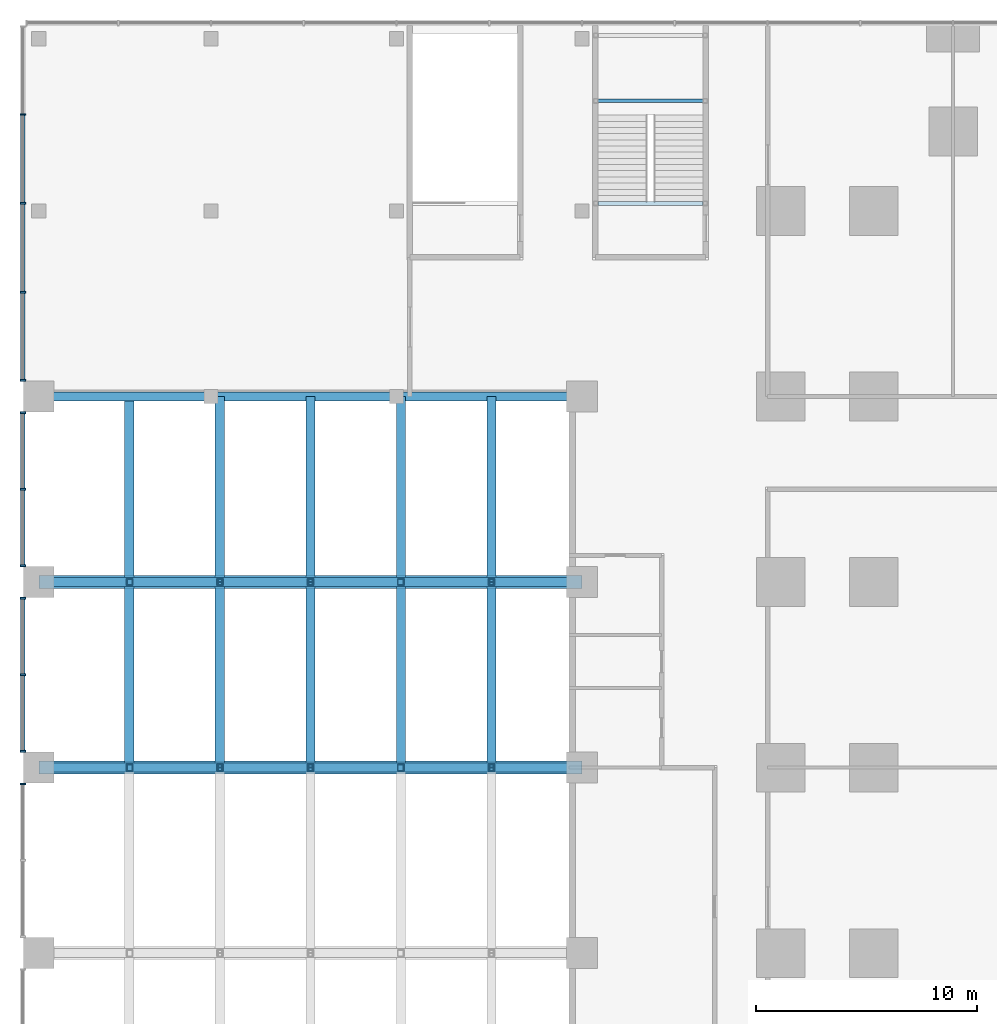
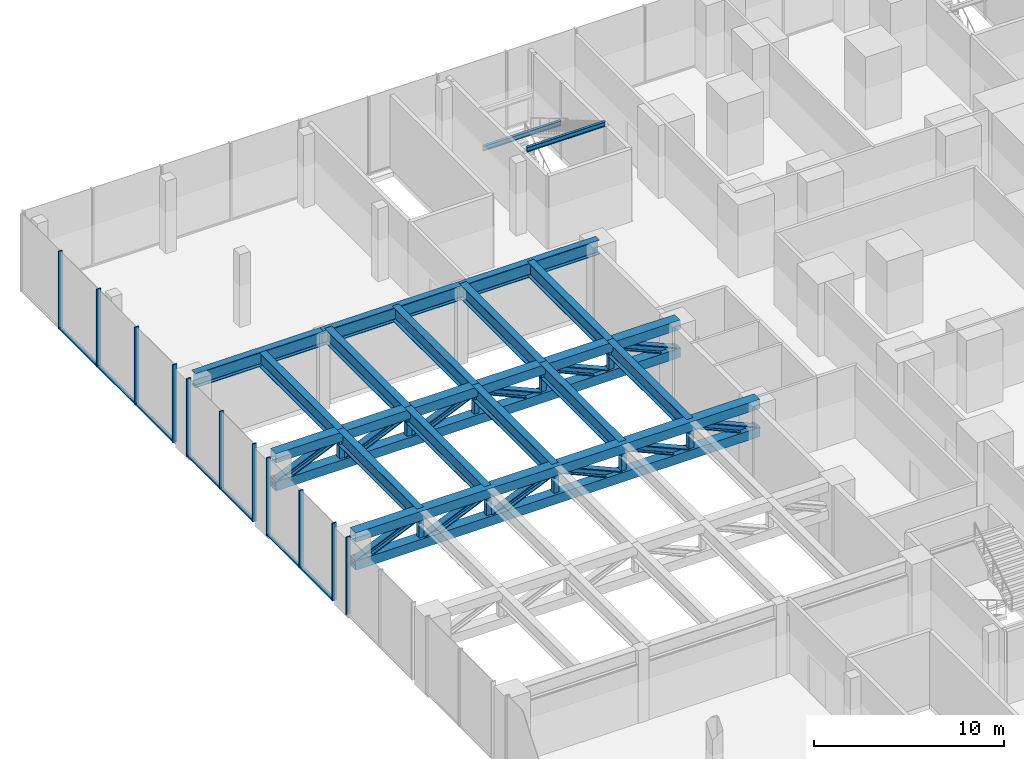
# One storey, part 17 of 33: 44 members, 15 beams, 4 elements without a shape of their own.
"""IFC4 building model written with IfcOpenShell, lengths in metres."""

import ifcopenshell
import ifcopenshell.guid

model = None  # the IFC model being written
_history = None  # IfcOwnerHistory: only IFC2X3 demands one
_inside = {}  # id of a spatial element -> (the spatial element, [elements in it])
_under = {}  # id of a project, library or spatial element -> (it, [spatial elements below it])
_declared = {}  # id of a project -> (the project, [libraries it declares])
_typed = {}  # id of a type object -> (the type object, [elements of that type])
_made_of = {}  # id of a material, layer set ... -> (it, [elements and type objects made of it])


def new_model(schema):
    """Start an empty IFC model of exactly this schema.

    Asked for "IFC4X3", IfcOpenShell would pick the latest addendum, in which some entities
    have other attributes; the version numbers below select the first issue.
    IFC2X3 requires an IfcOwnerHistory on every rooted entity: one is made here for all.
    """
    global model, _history
    if schema == "IFC4X3":
        model = ifcopenshell.file(schema_version=(4, 3, 0, 0))
    else:
        model = ifcopenshell.file(schema=schema)
    _inside.clear()
    _under.clear()
    _declared.clear()
    _typed.clear()
    _made_of.clear()
    _history = None
    if model.schema == "IFC2X3":
        org = make("IfcOrganization", Name="unknown")
        user = make(
            "IfcPersonAndOrganization",
            ThePerson=make("IfcPerson", FamilyName="unknown"),
            TheOrganization=org,
        )
        app = make(
            "IfcApplication",
            ApplicationDeveloper=org,
            Version="unknown",
            ApplicationFullName="unknown",
            ApplicationIdentifier="unknown",
        )
        _history = make(
            "IfcOwnerHistory",
            OwningUser=user,
            OwningApplication=app,
            ChangeAction="ADDED",
            CreationDate=0,
        )
    return model


def make(cls, **values):
    """One entity of the class cls with the attributes given. An attribute that is None is left unset."""
    return model.create_entity(
        cls, **{name: value for name, value in values.items() if value is not None}
    )


def rooted(cls, **values):
    """An entity with a GlobalId (a new one), such as an element, a storey or a relation."""
    return make(cls, GlobalId=ifcopenshell.guid.new(), OwnerHistory=_history, **values)


def si_unit(unit_type, name, prefix=None):
    """IfcSIUnit, for example si_unit("LENGTHUNIT", "METRE", prefix="MILLI")."""
    return make("IfcSIUnit", UnitType=unit_type, Prefix=prefix, Name=name)


def assignment(units):
    """IfcUnitAssignment: the units of a project."""
    return None if units is None else make("IfcUnitAssignment", Units=units)


def point(xyz):
    """IfcCartesianPoint."""
    return None if xyz is None else make("IfcCartesianPoint", Coordinates=xyz)


def direction(xyz):
    """IfcDirection."""
    return None if xyz is None else make("IfcDirection", DirectionRatios=xyz)


def frame(location, z_axis=None, x_axis=None):
    """IfcAxis2Placement3D, a coordinate frame: its origin and axes. An axis left out is left unset."""
    return make(
        "IfcAxis2Placement3D",
        Location=point(location),
        Axis=direction(z_axis),
        RefDirection=direction(x_axis),
    )


def frame_2d(location, x_axis=None):
    """IfcAxis2Placement2D, a coordinate frame in the plane: its origin and x axis."""
    return make(
        "IfcAxis2Placement2D", Location=point(location), RefDirection=direction(x_axis)
    )


def origin():
    """The frame at (0, 0, 0) with its axes left unset."""
    return frame((0.0, 0.0, 0.0))


def origin_2d():
    """The frame at (0, 0) in the plane with its x axis left unset."""
    return frame_2d((0.0, 0.0))


def place(relative_to, where):
    """IfcLocalPlacement: puts the frame where relative to a parent placement (None: the world)."""
    return make(
        "IfcLocalPlacement", PlacementRelTo=relative_to, RelativePlacement=where
    )


def context(
    kind, dimensions, precision=None, world=None, true_north=None, identifier=None
):
    """IfcGeometricRepresentationContext, for example the 3D "Model" context."""
    return make(
        "IfcGeometricRepresentationContext",
        ContextIdentifier=identifier,
        ContextType=kind,
        CoordinateSpaceDimension=dimensions,
        Precision=precision,
        WorldCoordinateSystem=world,
        TrueNorth=true_north,
    )


def subcontext(parent, identifier, kind, view, scale=None):
    """IfcGeometricRepresentationSubContext, for example "Body" below "Model"."""
    return make(
        "IfcGeometricRepresentationSubContext",
        ContextIdentifier=identifier,
        ContextType=kind,
        ParentContext=parent,
        TargetScale=scale,
        TargetView=view,
    )


def project(units=None, contexts=None):
    """IfcProject with its units and contexts."""
    return rooted(
        "IfcProject",
        Name="project",
        RepresentationContexts=contexts,
        UnitsInContext=assignment(units),
    )


def spatial(cls, under=None, at=None, **own):
    """A site, building, storey or space (cls), placed at a placement, below another one or the project."""
    s = rooted(cls, ObjectPlacement=at, **own)
    if under is not None:
        _under.setdefault(under.id(), (under, []))[1].append(s)
    return s


def profile(cls, at=None, kind="AREA", **sizes):
    """A parametric profile (cls). Its sizes go by their IFC names, for example OverallWidth=200.0."""
    return make(cls, ProfileType=kind, Position=at, **sizes)


def rectangle(**sizes):
    """IfcRectangleProfileDef."""
    return profile("IfcRectangleProfileDef", **sizes)


def hollow_rectangle(**sizes):
    """IfcRectangleHollowProfileDef."""
    return profile("IfcRectangleHollowProfileDef", **sizes)


def i_section(**sizes):
    """IfcIShapeProfileDef."""
    return profile("IfcIShapeProfileDef", **sizes)


def extrude(swept, where, along, depth):
    """IfcExtrudedAreaSolid: the profile swept, set in the frame where, extruded along a direction by depth."""
    return make(
        "IfcExtrudedAreaSolid",
        SweptArea=swept,
        Position=where,
        ExtrudedDirection=direction(along),
        Depth=depth,
    )


def shape(context_of_items, identifier, shape_type, items):
    """IfcShapeRepresentation: the items that make up one representation, for example the "Body"."""
    return make(
        "IfcShapeRepresentation",
        ContextOfItems=context_of_items,
        RepresentationIdentifier=identifier,
        RepresentationType=shape_type,
        Items=items,
    )


def material(Name=None, Category=None):
    """IfcMaterial."""
    return make("IfcMaterial", Name=Name, Category=Category)


def material_profile(
    of_material, cross_section, Name=None, Category=None, Priority=None
):
    """IfcMaterialProfile: a cross section and its material."""
    return make(
        "IfcMaterialProfile",
        Name=Name,
        Material=of_material,
        Profile=cross_section,
        Priority=Priority,
        Category=Category,
    )


def profile_set(profiles, Name=None, composite=None):
    """IfcMaterialProfileSet."""
    return make(
        "IfcMaterialProfileSet",
        Name=Name,
        MaterialProfiles=profiles,
        CompositeProfile=composite,
    )


def made_of(thing, what):
    """Note that an element or type object is made of a material, layer set ...; save() writes the relation."""
    if what is not None:
        _made_of.setdefault(what.id(), (what, []))[1].append(thing)
    return thing


def type_object(cls, material=None, **own):
    """A type object (cls), such as IfcWallType, which elements share."""
    return made_of(rooted(cls, **own), material)


def element(
    cls,
    number,
    at=None,
    inside=None,
    cuts=None,
    type_object=None,
    material=None,
    context=None,
    identifier="Body",
    shape_type=None,
    held_by="IfcProductDefinitionShape",
    body=None,
    shapes=None,
    **own,
):
    """One element of the class cls, such as IfcWall. Its Tag is "e" and its number.

    at: its placement. inside: the storey or other place that contains it. cuts: it is an
    opening in that element (IfcRelVoidsElement). A single representation is given by context,
    identifier, shape_type and body (its items); several are given by shapes. held_by: the class
    of the entity that holds the representations. save() writes the other relations.
    """
    e = rooted(cls, Tag="e%d" % number, ObjectPlacement=at, **own)
    if body is not None:
        shapes = [shape(context, identifier, shape_type, body)]
    if shapes is not None:
        e.Representation = make(held_by, Representations=shapes)
    if inside is not None:
        _inside.setdefault(inside.id(), (inside, []))[1].append(e)
    if cuts is not None:
        rooted(
            "IfcRelVoidsElement", RelatingBuildingElement=cuts, RelatedOpeningElement=e
        )
    if type_object is not None:
        _typed.setdefault(type_object.id(), (type_object, []))[1].append(e)
    return made_of(e, material)


def aggregate(whole, parts):
    """IfcRelAggregates: a whole, such as a stair, and the parts it consists of."""
    return rooted("IfcRelAggregates", RelatingObject=whole, RelatedObjects=parts)


def save(model, path):
    """Write the relations noted so far, then the file.

    IfcRelAggregates (storeys below a building ...), IfcRelContainedInSpatialStructure (elements
    in a storey), IfcRelDefinesByType, IfcRelAssociatesMaterial and IfcRelDeclares: one each for
    every whole, place, type object, material and project.
    """
    for whole, parts in _under.values():
        aggregate(whole, parts)
    for where, things in _inside.values():
        rooted(
            "IfcRelContainedInSpatialStructure",
            RelatedElements=things,
            RelatingStructure=where,
        )
    for kind, things in _typed.values():
        rooted("IfcRelDefinesByType", RelatedObjects=things, RelatingType=kind)
    for what, things in _made_of.values():
        rooted("IfcRelAssociatesMaterial", RelatedObjects=things, RelatingMaterial=what)
    for by, libraries in _declared.values():
        rooted("IfcRelDeclares", RelatingContext=by, RelatedDefinitions=libraries)
    model.write(path)


model = new_model("IFC4")

# Units and contexts
model_context = context("Model", 3, precision=1e-05, world=origin(), true_north=direction((0.0, 1.0)))
body_context = subcontext(model_context, "Body", "Model", "MODEL_VIEW")
ifc_project = project(units=[si_unit("LENGTHUNIT", "METRE"), si_unit("AREAUNIT", "SQUARE_METRE"), si_unit("VOLUMEUNIT", "CUBIC_METRE"), si_unit("PLANEANGLEUNIT", "RADIAN"), si_unit("MASSUNIT", "GRAM", prefix="KILO")], contexts=[model_context])

# Site, building, storey
site_placement = place(None, origin())
site = spatial("IfcSite", under=ifc_project, at=site_placement, CompositionType="ELEMENT")
building_placement = place(site_placement, origin())
building = spatial("IfcBuilding", under=site, at=building_placement, Name="Dunama Terrace Hotel", CompositionType="ELEMENT")
storey_placement = place(building_placement, frame((0.0, 0.0, 12.0)))
storey = spatial("IfcBuildingStorey", under=building, at=storey_placement, Name="L02", CompositionType="ELEMENT", Elevation=12.0)

# Members
ifc_material_1 = material(Name="Steel S355", Category="steel")
ifc_material_profile_1 = material_profile(ifc_material_1, i_section(OverallWidth=0.412109375, OverallDepth=0.4365234375, WebThickness=0.035888671875, FlangeThickness=0.05810546875, FilletRadius=0.01513671875, at=origin_2d()), Name="UC 356x406x467")
ifc_profile_set_1 = profile_set([ifc_material_profile_1], Name="Steel S355")
member_type_1 = type_object("IfcMemberType", Name="Brace UC 356x406x467", PredefinedType="BRACE", material=ifc_profile_set_1)
member_1_placement = place(storey_placement, frame((-33.0, 25.199951171875, 2.60009765625), z_axis=(0.91566360853, 0.0, 0.40194546398), x_axis=(0.0, 1.0, 0.0)))
element("IfcMember", 1, at=member_1_placement, inside=storey, type_object=member_type_1, Name="Ballroom truss diagonal", PredefinedType="BRACE", context=body_context, shape_type="SweptSolid", body=[
    extrude(i_section(OverallWidth=0.412109375, OverallDepth=0.4365234375, WebThickness=0.035888671875, FlangeThickness=0.05810546875, FilletRadius=0.01513671875, at=origin_2d()), origin(), (0.0, 0.0, 1.0), 4.477783203125),
])
member_2_placement = place(storey_placement, frame((-28.89990234375, 25.199951171875, 2.60009765625), z_axis=(0.915654799084, 0.0, 0.401965531998), x_axis=(0.0, 1.0, 0.0)))
element("IfcMember", 2, at=member_2_placement, inside=storey, type_object=member_type_1, Name="Ballroom truss diagonal", PredefinedType="BRACE", context=body_context, shape_type="SweptSolid", body=[
    extrude(i_section(OverallWidth=0.412109375, OverallDepth=0.4365234375, WebThickness=0.035888671875, FlangeThickness=0.05810546875, FilletRadius=0.01513671875, at=origin_2d()), origin(), (0.0, 0.0, 1.0), 4.4775390625),
])
member_3_placement = place(storey_placement, frame((-24.800048828125, 25.199951171875, 2.60009765625), z_axis=(0.91566360853, 0.0, 0.40194546398), x_axis=(0.0, 1.0, 0.0)))
element("IfcMember", 3, at=member_3_placement, inside=storey, type_object=member_type_1, Name="Ballroom truss diagonal", PredefinedType="BRACE", context=body_context, shape_type="SweptSolid", body=[
    extrude(i_section(OverallWidth=0.412109375, OverallDepth=0.4365234375, WebThickness=0.035888671875, FlangeThickness=0.05810546875, FilletRadius=0.01513671875, at=origin_2d()), origin(), (0.0, 0.0, 1.0), 4.477783203125),
])
member_4_placement = place(storey_placement, frame((-16.60009765625, 25.199951171875, 2.60009765625), z_axis=(-0.915654799084, 0.0, 0.401965531998), x_axis=(0.0, -1.0, 0.0)))
element("IfcMember", 4, at=member_4_placement, inside=storey, type_object=member_type_1, Name="Ballroom truss diagonal", PredefinedType="BRACE", context=body_context, shape_type="SweptSolid", body=[
    extrude(i_section(OverallWidth=0.412109375, OverallDepth=0.4365234375, WebThickness=0.035888671875, FlangeThickness=0.05810546875, FilletRadius=0.01513671875, at=origin_2d()), origin(), (0.0, 0.0, 1.0), 4.4775390625),
])
for number, where, z_axis, x_axis, name in (
    (5, (-12.5, 25.199951171875, 2.60009765625), (-0.91566360853, 0.0, 0.40194546398), (0.0, -1.0, 0.0), "Ballroom truss diagonal"),
    (6, (-8.39990234375, 25.199951171875, 2.60009765625), (-0.91566360853, 0.0, 0.40194546398), (0.0, -1.0, 0.0), "Ballroom truss diagonal"),
    (7, (-33.0, 33.60009765625, 2.60009765625), (0.91566360853, 0.0, 0.40194546398), (0.0, 1.0, 0.0), "Ballroom truss diagonal"),
):
    element("IfcMember", number, at=place(storey_placement, frame(where, z_axis=z_axis, x_axis=x_axis)), inside=storey, type_object=member_type_1, Name=name, PredefinedType="BRACE", context=body_context, shape_type="SweptSolid", body=[
        extrude(i_section(OverallWidth=0.412109375, OverallDepth=0.4365234375, WebThickness=0.035888671875, FlangeThickness=0.05810546875, FilletRadius=0.01513671875, at=origin_2d()), origin(), (0.0, 0.0, 1.0), 4.477783203125),
    ])
member_5_placement = place(storey_placement, frame((-28.89990234375, 33.60009765625, 2.60009765625), z_axis=(0.915654799084, 0.0, 0.401965531998), x_axis=(0.0, 1.0, 0.0)))
element("IfcMember", 8, at=member_5_placement, inside=storey, type_object=member_type_1, Name="Ballroom truss diagonal", PredefinedType="BRACE", context=body_context, shape_type="SweptSolid", body=[
    extrude(i_section(OverallWidth=0.412109375, OverallDepth=0.4365234375, WebThickness=0.035888671875, FlangeThickness=0.05810546875, FilletRadius=0.01513671875, at=origin_2d()), origin(), (0.0, 0.0, 1.0), 4.4775390625),
])
member_6_placement = place(storey_placement, frame((-24.800048828125, 33.60009765625, 2.60009765625), z_axis=(0.91566360853, 0.0, 0.40194546398), x_axis=(0.0, 1.0, 0.0)))
element("IfcMember", 9, at=member_6_placement, inside=storey, type_object=member_type_1, Name="Ballroom truss diagonal", PredefinedType="BRACE", context=body_context, shape_type="SweptSolid", body=[
    extrude(i_section(OverallWidth=0.412109375, OverallDepth=0.4365234375, WebThickness=0.035888671875, FlangeThickness=0.05810546875, FilletRadius=0.01513671875, at=origin_2d()), origin(), (0.0, 0.0, 1.0), 4.477783203125),
])
member_7_placement = place(storey_placement, frame((-16.60009765625, 33.60009765625, 2.60009765625), z_axis=(-0.915654799084, 0.0, 0.401965531998), x_axis=(0.0, -1.0, 0.0)))
element("IfcMember", 10, at=member_7_placement, inside=storey, type_object=member_type_1, Name="Ballroom truss diagonal", PredefinedType="BRACE", context=body_context, shape_type="SweptSolid", body=[
    extrude(i_section(OverallWidth=0.412109375, OverallDepth=0.4365234375, WebThickness=0.035888671875, FlangeThickness=0.05810546875, FilletRadius=0.01513671875, at=origin_2d()), origin(), (0.0, 0.0, 1.0), 4.4775390625),
])
for number, where, z_axis, x_axis, name in (
    (11, (-12.5, 33.60009765625, 2.60009765625), (-0.91566360853, 0.0, 0.40194546398), (0.0, -1.0, 0.0), "Ballroom truss diagonal"),
    (12, (-8.39990234375, 33.60009765625, 2.60009765625), (-0.91566360853, 0.0, 0.40194546398), (0.0, -1.0, 0.0), "Ballroom truss diagonal"),
):
    element("IfcMember", number, at=place(storey_placement, frame(where, z_axis=z_axis, x_axis=x_axis)), inside=storey, type_object=member_type_1, Name=name, PredefinedType="BRACE", context=body_context, shape_type="SweptSolid", body=[
        extrude(i_section(OverallWidth=0.412109375, OverallDepth=0.4365234375, WebThickness=0.035888671875, FlangeThickness=0.05810546875, FilletRadius=0.01513671875, at=origin_2d()), origin(), (0.0, 0.0, 1.0), 4.477783203125),
    ])

# Curtain wall, members
ifc_material_2 = material(Name="Aluminium curtain wall system", Category="aluminium")
curtain_wall_type = type_object("IfcCurtainWallType", Name="Podium storefront glazing CW-E", PredefinedType="NOTDEFINED", material=ifc_material_2)
curtain_wall_1_placement = place(storey_placement, origin())
curtain_wall_1 = element("IfcCurtainWall", 13, at=curtain_wall_1_placement, inside=storey, type_object=curtain_wall_type, Name="Podium storefront glazing CW-E L02", PredefinedType="NOTDEFINED")
ifc_material_3 = material(Name="Aluminium mullion", Category="aluminium")
ifc_material_profile_2 = material_profile(ifc_material_3, rectangle(XDim=0.080078125, YDim=0.25, at=origin_2d()), Name="CWE MULLION 80X250")
ifc_profile_set_2 = profile_set([ifc_material_profile_2], Name="Aluminium mullion")
member_type_2 = type_object("IfcMemberType", Name="CWE mullion 80x250", PredefinedType="MULLION", material=ifc_profile_set_2)
member_8_placement = place(storey_placement, frame((-33.72509765625, 54.77490234375, 0.0), z_axis=(0.0, 0.0, 1.0), x_axis=(0.0, -1.0, 0.0)))
member_8 = element("IfcMember", 14, at=member_8_placement, type_object=member_type_2, Name="CWE mullion", PredefinedType="MULLION", context=body_context, shape_type="SweptSolid", body=[
    extrude(rectangle(XDim=0.080078125, YDim=0.25, at=origin_2d()), origin(), (0.0, 0.0, 1.0), 5.0),
])
member_9_placement = place(storey_placement, frame((-33.72509765625, 50.75, 0.0), z_axis=(0.0, 0.0, 1.0), x_axis=(0.0, -1.0, 0.0)))
member_9 = element("IfcMember", 15, at=member_9_placement, type_object=member_type_2, Name="CWE mullion", PredefinedType="MULLION", context=body_context, shape_type="SweptSolid", body=[
    extrude(rectangle(XDim=0.080078125, YDim=0.25, at=origin_2d()), origin(), (0.0, 0.0, 1.0), 5.0),
])
member_10_placement = place(storey_placement, frame((-33.72509765625, 46.72509765625, 0.0), z_axis=(0.0, 0.0, 1.0), x_axis=(0.0, -1.0, 0.0)))
member_10 = element("IfcMember", 16, at=member_10_placement, type_object=member_type_2, Name="CWE mullion", PredefinedType="MULLION", context=body_context, shape_type="SweptSolid", body=[
    extrude(rectangle(XDim=0.080078125, YDim=0.25, at=origin_2d()), origin(), (0.0, 0.0, 1.0), 5.0),
])
member_11_placement = place(storey_placement, frame((-33.72509765625, 42.739990234375, 0.0), z_axis=(0.0, 0.0, 1.0), x_axis=(0.0, -1.0, 0.0)))
member_11 = element("IfcMember", 17, at=member_11_placement, type_object=member_type_2, Name="CWE mullion", PredefinedType="MULLION", context=body_context, shape_type="SweptSolid", body=[
    extrude(rectangle(XDim=0.080078125, YDim=0.25, at=origin_2d()), origin(), (0.0, 0.0, 1.0), 5.0),
])

curtain_wall_2_placement = place(storey_placement, origin())
curtain_wall_2 = element("IfcCurtainWall", 18, at=curtain_wall_2_placement, inside=storey, type_object=curtain_wall_type, Name="Podium storefront glazing CW-E ballroom L02", PredefinedType="NOTDEFINED")
member_12_placement = place(storey_placement, frame((-33.72509765625, 41.260009765625, 0.0), z_axis=(0.0, 0.0, 1.0), x_axis=(0.0, -1.0, 0.0)))
member_12 = element("IfcMember", 19, at=member_12_placement, type_object=member_type_2, Name="CWE mullion", PredefinedType="MULLION", context=body_context, shape_type="SweptSolid", body=[
    extrude(rectangle(XDim=0.080078125, YDim=0.25, at=origin_2d()), origin(), (0.0, 0.0, 1.0), 5.0),
])
member_13_placement = place(storey_placement, frame((-33.72509765625, 37.800048828125, 0.0), z_axis=(0.0, 0.0, 1.0), x_axis=(0.0, -1.0, 0.0)))
member_13 = element("IfcMember", 20, at=member_13_placement, type_object=member_type_2, Name="CWE mullion", PredefinedType="MULLION", context=body_context, shape_type="SweptSolid", body=[
    extrude(rectangle(XDim=0.080078125, YDim=0.25, at=origin_2d()), origin(), (0.0, 0.0, 1.0), 5.0),
])
member_14_placement = place(storey_placement, frame((-33.72509765625, 34.340087890625, 0.0), z_axis=(0.0, 0.0, 1.0), x_axis=(0.0, -1.0, 0.0)))
member_14 = element("IfcMember", 21, at=member_14_placement, type_object=member_type_2, Name="CWE mullion", PredefinedType="MULLION", context=body_context, shape_type="SweptSolid", body=[
    extrude(rectangle(XDim=0.080078125, YDim=0.25, at=origin_2d()), origin(), (0.0, 0.0, 1.0), 5.0),
])

curtain_wall_3_placement = place(storey_placement, origin())
curtain_wall_3 = element("IfcCurtainWall", 22, at=curtain_wall_3_placement, inside=storey, type_object=curtain_wall_type, Name="Podium storefront glazing CW-E ballroom L02", PredefinedType="NOTDEFINED")
member_15_placement = place(storey_placement, frame((-33.72509765625, 32.860107421875, 0.0), z_axis=(0.0, 0.0, 1.0), x_axis=(0.0, -1.0, 0.0)))
member_15 = element("IfcMember", 23, at=member_15_placement, type_object=member_type_2, Name="CWE mullion", PredefinedType="MULLION", context=body_context, shape_type="SweptSolid", body=[
    extrude(rectangle(XDim=0.080078125, YDim=0.25, at=origin_2d()), origin(), (0.0, 0.0, 1.0), 5.0),
])
member_16_placement = place(storey_placement, frame((-33.72509765625, 29.39990234375, 0.0), z_axis=(0.0, 0.0, 1.0), x_axis=(0.0, -1.0, 0.0)))
member_16 = element("IfcMember", 24, at=member_16_placement, type_object=member_type_2, Name="CWE mullion", PredefinedType="MULLION", context=body_context, shape_type="SweptSolid", body=[
    extrude(rectangle(XDim=0.080078125, YDim=0.25, at=origin_2d()), origin(), (0.0, 0.0, 1.0), 5.0),
])
member_17_placement = place(storey_placement, frame((-33.72509765625, 25.93994140625, 0.0), z_axis=(0.0, 0.0, 1.0), x_axis=(0.0, -1.0, 0.0)))
member_17 = element("IfcMember", 25, at=member_17_placement, type_object=member_type_2, Name="CWE mullion", PredefinedType="MULLION", context=body_context, shape_type="SweptSolid", body=[
    extrude(rectangle(XDim=0.080078125, YDim=0.25, at=origin_2d()), origin(), (0.0, 0.0, 1.0), 5.0),
])

# Curtain wall, member
curtain_wall_4_placement = place(storey_placement, origin())
curtain_wall_4 = element("IfcCurtainWall", 26, at=curtain_wall_4_placement, inside=storey, type_object=curtain_wall_type, Name="Podium storefront glazing CW-E ballroom L02", PredefinedType="NOTDEFINED")
member_18_placement = place(storey_placement, frame((-33.72509765625, 24.4599609375, 0.0), z_axis=(0.0, 0.0, 1.0), x_axis=(0.0, -1.0, 0.0)))
member_18 = element("IfcMember", 27, at=member_18_placement, type_object=member_type_2, Name="CWE mullion", PredefinedType="MULLION", context=body_context, shape_type="SweptSolid", body=[
    extrude(rectangle(XDim=0.080078125, YDim=0.25, at=origin_2d()), origin(), (0.0, 0.0, 1.0), 5.0),
])
aggregate(curtain_wall_4, [member_18])

# Member
ifc_material_4 = material(Name="Aluminium transom", Category="aluminium")
ifc_material_profile_3 = material_profile(ifc_material_4, rectangle(XDim=0.199951171875, YDim=0.090087890625, at=origin_2d()), Name="CWE TRANSOM 200X90")
ifc_profile_set_3 = profile_set([ifc_material_profile_3], Name="Aluminium transom")
member_type_3 = type_object("IfcMemberType", Name="CWE transom 200x90", PredefinedType="USERDEFINED", material=ifc_profile_set_3)
member_19_placement = place(storey_placement, frame((-33.72509765625, 54.735107421875, 0.044921875), z_axis=(0.0, -1.0, 0.0), x_axis=(1.0, 0.0, 0.0)))
member_19 = element("IfcMember", 28, at=member_19_placement, type_object=member_type_3, Name="CWE transom", ObjectType="TRANSOM", PredefinedType="USERDEFINED", context=body_context, shape_type="SweptSolid", body=[
    extrude(rectangle(XDim=0.199951171875, YDim=0.090087890625, at=origin_2d()), origin(), (0.0, 0.0, 1.0), 3.945068359375),
])

member_20_placement = place(storey_placement, frame((-33.72509765625, 50.7099609375, 0.044921875), z_axis=(0.0, -1.0, 0.0), x_axis=(1.0, 0.0, 0.0)))
member_20 = element("IfcMember", 29, at=member_20_placement, type_object=member_type_3, Name="CWE transom", ObjectType="TRANSOM", PredefinedType="USERDEFINED", context=body_context, shape_type="SweptSolid", body=[
    extrude(rectangle(XDim=0.199951171875, YDim=0.090087890625, at=origin_2d()), origin(), (0.0, 0.0, 1.0), 3.945068359375),
])

member_21_placement = place(storey_placement, frame((-33.72509765625, 46.68505859375, 0.044921875), z_axis=(0.0, -1.0, 0.0), x_axis=(1.0, 0.0, 0.0)))
member_21 = element("IfcMember", 30, at=member_21_placement, type_object=member_type_3, Name="CWE transom", ObjectType="TRANSOM", PredefinedType="USERDEFINED", context=body_context, shape_type="SweptSolid", body=[
    extrude(rectangle(XDim=0.199951171875, YDim=0.090087890625, at=origin_2d()), origin(), (0.0, 0.0, 1.0), 3.905029296875),
])

aggregate(curtain_wall_1, [member_8, member_9, member_10, member_11, member_19, member_20, member_21])

member_22_placement = place(storey_placement, frame((-33.72509765625, 41.219970703125, 0.044921875), z_axis=(0.0, -1.0, 0.0), x_axis=(1.0, 0.0, 0.0)))
member_22 = element("IfcMember", 31, at=member_22_placement, type_object=member_type_3, Name="CWE transom", ObjectType="TRANSOM", PredefinedType="USERDEFINED", context=body_context, shape_type="SweptSolid", body=[
    extrude(rectangle(XDim=0.199951171875, YDim=0.090087890625, at=origin_2d()), origin(), (0.0, 0.0, 1.0), 3.3798828125),
])

member_23_placement = place(storey_placement, frame((-33.72509765625, 37.760009765625, 0.044921875), z_axis=(0.0, -1.0, 0.0), x_axis=(1.0, 0.0, 0.0)))
member_23 = element("IfcMember", 32, at=member_23_placement, type_object=member_type_3, Name="CWE transom", ObjectType="TRANSOM", PredefinedType="USERDEFINED", context=body_context, shape_type="SweptSolid", body=[
    extrude(rectangle(XDim=0.199951171875, YDim=0.090087890625, at=origin_2d()), origin(), (0.0, 0.0, 1.0), 3.380126953125),
])

aggregate(curtain_wall_2, [member_12, member_13, member_14, member_22, member_23])

member_24_placement = place(storey_placement, frame((-33.72509765625, 32.820068359375, 0.044921875), z_axis=(0.0, -1.0, 0.0), x_axis=(1.0, 0.0, 0.0)))
member_24 = element("IfcMember", 33, at=member_24_placement, type_object=member_type_3, Name="CWE transom", ObjectType="TRANSOM", PredefinedType="USERDEFINED", context=body_context, shape_type="SweptSolid", body=[
    extrude(rectangle(XDim=0.199951171875, YDim=0.090087890625, at=origin_2d()), origin(), (0.0, 0.0, 1.0), 3.380126953125),
])

member_25_placement = place(storey_placement, frame((-33.72509765625, 29.360107421875, 0.044921875), z_axis=(0.0, -1.0, 0.0), x_axis=(1.0, 0.0, 0.0)))
member_25 = element("IfcMember", 34, at=member_25_placement, type_object=member_type_3, Name="CWE transom", ObjectType="TRANSOM", PredefinedType="USERDEFINED", context=body_context, shape_type="SweptSolid", body=[
    extrude(rectangle(XDim=0.199951171875, YDim=0.090087890625, at=origin_2d()), origin(), (0.0, 0.0, 1.0), 3.380126953125),
])

aggregate(curtain_wall_3, [member_15, member_16, member_17, member_24, member_25])

# Beams
ifc_material_5 = material(Name="Steel S355", Category="steel")
ifc_material_profile_4 = material_profile(ifc_material_5, i_section(OverallWidth=0.42041015625, OverallDepth=0.9208984375, WebThickness=0.021484375, FlangeThickness=0.03662109375, FilletRadius=0.024169921875, at=origin_2d()), Name="UB 914x419x388")
ifc_profile_set_4 = profile_set([ifc_material_profile_4], Name="Steel S355")
beam_type_1 = type_object("IfcBeamType", Name="Joist UB 914x419x388", PredefinedType="JOIST", material=ifc_profile_set_4)
beam_1_placement = place(storey_placement, frame((-28.89990234375, 25.199951171875, 4.239501953125), z_axis=(0.0, 1.0, 0.0), x_axis=(-1.0, 0.0, 0.0)))
element("IfcBeam", 35, at=beam_1_placement, inside=storey, type_object=beam_type_1, Name="Ballroom roof joist", PredefinedType="JOIST", context=body_context, shape_type="SweptSolid", body=[
    extrude(i_section(OverallWidth=0.42041015625, OverallDepth=0.9208984375, WebThickness=0.021484375, FlangeThickness=0.03662109375, FilletRadius=0.024169921875, at=origin_2d()), origin(), (0.0, 0.0, 1.0), 8.400146484375),
])
beam_2_placement = place(storey_placement, frame((-28.89990234375, 33.60009765625, 4.239501953125), z_axis=(0.0, 1.0, 0.0), x_axis=(-1.0, 0.0, 0.0)))
element("IfcBeam", 36, at=beam_2_placement, inside=storey, type_object=beam_type_1, Name="Ballroom roof joist", PredefinedType="JOIST", context=body_context, shape_type="SweptSolid", body=[
    extrude(i_section(OverallWidth=0.42041015625, OverallDepth=0.9208984375, WebThickness=0.021484375, FlangeThickness=0.03662109375, FilletRadius=0.024169921875, at=origin_2d()), origin(), (0.0, 0.0, 1.0), 8.39990234375),
])
beam_3_placement = place(storey_placement, frame((-24.800048828125, 25.199951171875, 4.239501953125), z_axis=(0.0, 1.0, 0.0), x_axis=(-1.0, 0.0, 0.0)))
element("IfcBeam", 37, at=beam_3_placement, inside=storey, type_object=beam_type_1, Name="Ballroom roof joist", PredefinedType="JOIST", context=body_context, shape_type="SweptSolid", body=[
    extrude(i_section(OverallWidth=0.42041015625, OverallDepth=0.9208984375, WebThickness=0.021484375, FlangeThickness=0.03662109375, FilletRadius=0.024169921875, at=origin_2d()), origin(), (0.0, 0.0, 1.0), 8.400146484375),
])
beam_4_placement = place(storey_placement, frame((-24.800048828125, 33.60009765625, 4.239501953125), z_axis=(0.0, 1.0, 0.0), x_axis=(-1.0, 0.0, 0.0)))
element("IfcBeam", 38, at=beam_4_placement, inside=storey, type_object=beam_type_1, Name="Ballroom roof joist", PredefinedType="JOIST", context=body_context, shape_type="SweptSolid", body=[
    extrude(i_section(OverallWidth=0.42041015625, OverallDepth=0.9208984375, WebThickness=0.021484375, FlangeThickness=0.03662109375, FilletRadius=0.024169921875, at=origin_2d()), origin(), (0.0, 0.0, 1.0), 8.39990234375),
])
beam_5_placement = place(storey_placement, frame((-20.699951171875, 25.199951171875, 4.239501953125), z_axis=(0.0, 1.0, 0.0), x_axis=(-1.0, 0.0, 0.0)))
element("IfcBeam", 39, at=beam_5_placement, inside=storey, type_object=beam_type_1, Name="Ballroom roof joist", PredefinedType="JOIST", context=body_context, shape_type="SweptSolid", body=[
    extrude(i_section(OverallWidth=0.42041015625, OverallDepth=0.9208984375, WebThickness=0.021484375, FlangeThickness=0.03662109375, FilletRadius=0.024169921875, at=origin_2d()), origin(), (0.0, 0.0, 1.0), 8.400146484375),
])
beam_6_placement = place(storey_placement, frame((-20.699951171875, 33.60009765625, 4.239501953125), z_axis=(0.0, 1.0, 0.0), x_axis=(-1.0, 0.0, 0.0)))
element("IfcBeam", 40, at=beam_6_placement, inside=storey, type_object=beam_type_1, Name="Ballroom roof joist", PredefinedType="JOIST", context=body_context, shape_type="SweptSolid", body=[
    extrude(i_section(OverallWidth=0.42041015625, OverallDepth=0.9208984375, WebThickness=0.021484375, FlangeThickness=0.03662109375, FilletRadius=0.024169921875, at=origin_2d()), origin(), (0.0, 0.0, 1.0), 8.39990234375),
])
beam_7_placement = place(storey_placement, frame((-16.60009765625, 25.199951171875, 4.239501953125), z_axis=(0.0, 1.0, 0.0), x_axis=(-1.0, 0.0, 0.0)))
element("IfcBeam", 41, at=beam_7_placement, inside=storey, type_object=beam_type_1, Name="Ballroom roof joist", PredefinedType="JOIST", context=body_context, shape_type="SweptSolid", body=[
    extrude(i_section(OverallWidth=0.42041015625, OverallDepth=0.9208984375, WebThickness=0.021484375, FlangeThickness=0.03662109375, FilletRadius=0.024169921875, at=origin_2d()), origin(), (0.0, 0.0, 1.0), 8.400146484375),
])
beam_8_placement = place(storey_placement, frame((-16.60009765625, 33.60009765625, 4.239501953125), z_axis=(0.0, 1.0, 0.0), x_axis=(-1.0, 0.0, 0.0)))
element("IfcBeam", 42, at=beam_8_placement, inside=storey, type_object=beam_type_1, Name="Ballroom roof joist", PredefinedType="JOIST", context=body_context, shape_type="SweptSolid", body=[
    extrude(i_section(OverallWidth=0.42041015625, OverallDepth=0.9208984375, WebThickness=0.021484375, FlangeThickness=0.03662109375, FilletRadius=0.024169921875, at=origin_2d()), origin(), (0.0, 0.0, 1.0), 8.39990234375),
])
beam_9_placement = place(storey_placement, frame((-12.5, 25.199951171875, 4.239501953125), z_axis=(0.0, 1.0, 0.0), x_axis=(-1.0, 0.0, 0.0)))
element("IfcBeam", 43, at=beam_9_placement, inside=storey, type_object=beam_type_1, Name="Ballroom roof joist", PredefinedType="JOIST", context=body_context, shape_type="SweptSolid", body=[
    extrude(i_section(OverallWidth=0.42041015625, OverallDepth=0.9208984375, WebThickness=0.021484375, FlangeThickness=0.03662109375, FilletRadius=0.024169921875, at=origin_2d()), origin(), (0.0, 0.0, 1.0), 8.400146484375),
])
beam_10_placement = place(storey_placement, frame((-12.5, 33.60009765625, 4.239501953125), z_axis=(0.0, 1.0, 0.0), x_axis=(-1.0, 0.0, 0.0)))
element("IfcBeam", 44, at=beam_10_placement, inside=storey, type_object=beam_type_1, Name="Ballroom roof joist", PredefinedType="JOIST", context=body_context, shape_type="SweptSolid", body=[
    extrude(i_section(OverallWidth=0.42041015625, OverallDepth=0.9208984375, WebThickness=0.021484375, FlangeThickness=0.03662109375, FilletRadius=0.024169921875, at=origin_2d()), origin(), (0.0, 0.0, 1.0), 8.39990234375),
])
ifc_material_6 = material(Name="Steel S355", Category="steel")
ifc_material_profile_5 = material_profile(ifc_material_6, i_section(OverallWidth=0.1650390625, OverallDepth=0.303466796875, WebThickness=0.006103515625, FlangeThickness=0.01025390625, FilletRadius=0.0087890625, at=origin_2d()), Name="UB 305x165x40")
ifc_profile_set_5 = profile_set([ifc_material_profile_5], Name="Steel S355")
beam_type_2 = type_object("IfcBeamType", Name="Stair beam UB 305x165x40", PredefinedType="BEAM", material=ifc_profile_set_5)
for number, where, z_axis, x_axis, name in (
    (45, (-7.675048828125, 50.742431640625, 4.848388671875), (1.0, 0.0, 0.0), (0.0, 1.0, 0.0), "Stair trimmer P3 at L03"),
    (46, (-7.675048828125, 55.387451171875, 2.098388671875), (1.0, 0.0, 0.0), (0.0, 1.0, 0.0), "Stair landing beam P3 L02 front"),
):
    element("IfcBeam", number, at=place(storey_placement, frame(where, z_axis=z_axis, x_axis=x_axis)), inside=storey, type_object=beam_type_2, Name=name, PredefinedType="BEAM", context=body_context, shape_type="SweptSolid", body=[
        extrude(i_section(OverallWidth=0.1650390625, OverallDepth=0.303466796875, WebThickness=0.006103515625, FlangeThickness=0.01025390625, FilletRadius=0.0087890625, at=origin_2d()), origin(), (0.0, 0.0, 1.0), 4.75),
    ])
ifc_material_7 = material(Name="Steel S355", Category="steel")
ifc_material_profile_6 = material_profile(ifc_material_7, i_section(OverallWidth=0.42041015625, OverallDepth=0.9208984375, WebThickness=0.021484375, FlangeThickness=0.03662109375, FilletRadius=0.024169921875, at=origin_2d()), Name="UB 914x419x388")
ifc_profile_set_6 = profile_set([ifc_material_profile_6], Name="Steel S355")
beam_type_3 = type_object("IfcBeamType", Name="Steel beam UB 914x419x388", PredefinedType="BEAM", material=ifc_profile_set_6)
beam_11_placement = place(storey_placement, frame((-33.0, 42.0, 4.239501953125), z_axis=(1.0, 0.0, 0.0), x_axis=(0.0, 1.0, 0.0)))
element("IfcBeam", 47, at=beam_11_placement, inside=storey, type_object=beam_type_3, Name="Ballroom edge girder", PredefinedType="BEAM", context=body_context, shape_type="SweptSolid", body=[
    extrude(i_section(OverallWidth=0.42041015625, OverallDepth=0.9208984375, WebThickness=0.021484375, FlangeThickness=0.03662109375, FilletRadius=0.024169921875, at=origin_2d()), origin(), (0.0, 0.0, 1.0), 7.800048828125),
])
beam_12_placement = place(storey_placement, frame((-25.199951171875, 42.0, 4.239501953125), z_axis=(1.0, 0.0, 0.0), x_axis=(0.0, 1.0, 0.0)))
element("IfcBeam", 48, at=beam_12_placement, inside=storey, type_object=beam_type_3, Name="Ballroom edge girder", PredefinedType="BEAM", context=body_context, shape_type="SweptSolid", body=[
    extrude(i_section(OverallWidth=0.42041015625, OverallDepth=0.9208984375, WebThickness=0.021484375, FlangeThickness=0.03662109375, FilletRadius=0.024169921875, at=origin_2d()), origin(), (0.0, 0.0, 1.0), 8.39990234375),
])
beam_13_placement = place(storey_placement, frame((-16.800048828125, 42.0, 4.239501953125), z_axis=(1.0, 0.0, 0.0), x_axis=(0.0, 1.0, 0.0)))
element("IfcBeam", 49, at=beam_13_placement, inside=storey, type_object=beam_type_3, Name="Ballroom edge girder", PredefinedType="BEAM", context=body_context, shape_type="SweptSolid", body=[
    extrude(i_section(OverallWidth=0.42041015625, OverallDepth=0.9208984375, WebThickness=0.021484375, FlangeThickness=0.03662109375, FilletRadius=0.024169921875, at=origin_2d()), origin(), (0.0, 0.0, 1.0), 8.400146484375),
])

# Members
ifc_material_8 = material(Name="Steel S355", Category="steel")
ifc_material_profile_7 = material_profile(ifc_material_8, hollow_rectangle(XDim=0.60009765625, YDim=0.60009765625, WallThickness=0.050048828125, at=origin_2d()), Name="BOX 600x600x50")
ifc_profile_set_7 = profile_set([ifc_material_profile_7], Name="Steel S355")
member_type_4 = type_object("IfcMemberType", Name="Truss member BOX 600x600x50", PredefinedType="CHORD", material=ifc_profile_set_7)
for number, where, z_axis, x_axis, name in (
    (50, (-33.0, 25.199951171875, 4.39990234375), (1.0, 0.0, 0.0), (0.0, 1.0, 0.0), "Ballroom truss top chord"),
    (51, (-33.0, 25.199951171875, 2.60009765625), (1.0, 0.0, 0.0), (0.0, 1.0, 0.0), "Ballroom truss bottom chord"),
    (52, (-33.0, 33.60009765625, 4.39990234375), (1.0, 0.0, 0.0), (0.0, 1.0, 0.0), "Ballroom truss top chord"),
    (53, (-33.0, 33.60009765625, 2.60009765625), (1.0, 0.0, 0.0), (0.0, 1.0, 0.0), "Ballroom truss bottom chord"),
):
    element("IfcMember", number, at=place(storey_placement, frame(where, z_axis=z_axis, x_axis=x_axis)), inside=storey, type_object=member_type_4, Name=name, PredefinedType="CHORD", context=body_context, shape_type="SweptSolid", body=[
        extrude(hollow_rectangle(XDim=0.60009765625, YDim=0.60009765625, WallThickness=0.050048828125, at=origin_2d()), origin(), (0.0, 0.0, 1.0), 24.60009765625),
    ])
ifc_material_9 = material(Name="Steel S355", Category="steel")
ifc_material_profile_8 = material_profile(ifc_material_9, hollow_rectangle(XDim=0.300048828125, YDim=0.300048828125, WallThickness=0.01611328125, at=origin_2d()), Name="SHS 300x300x16")
ifc_profile_set_8 = profile_set([ifc_material_profile_8], Name="Steel S355")
member_type_5 = type_object("IfcMemberType", Name="Truss post SHS 300x300x16", PredefinedType="POST", material=ifc_profile_set_8)
for number, where, z_axis, x_axis, name in (
    (54, (-28.89990234375, 25.199951171875, 2.89990234375), (0.0, 0.0, 1.0), (1.0, 0.0, 0.0), "Ballroom truss post"),
    (55, (-24.800048828125, 25.199951171875, 2.89990234375), (0.0, 0.0, 1.0), (1.0, 0.0, 0.0), "Ballroom truss post"),
    (56, (-20.699951171875, 25.199951171875, 2.89990234375), (0.0, 0.0, 1.0), (1.0, 0.0, 0.0), "Ballroom truss post"),
    (57, (-16.60009765625, 25.199951171875, 2.89990234375), (0.0, 0.0, 1.0), (1.0, 0.0, 0.0), "Ballroom truss post"),
    (58, (-12.5, 25.199951171875, 2.89990234375), (0.0, 0.0, 1.0), (1.0, 0.0, 0.0), "Ballroom truss post"),
    (59, (-28.89990234375, 33.60009765625, 2.89990234375), (0.0, 0.0, 1.0), (1.0, 0.0, 0.0), "Ballroom truss post"),
    (60, (-24.800048828125, 33.60009765625, 2.89990234375), (0.0, 0.0, 1.0), (1.0, 0.0, 0.0), "Ballroom truss post"),
    (61, (-20.699951171875, 33.60009765625, 2.89990234375), (0.0, 0.0, 1.0), (1.0, 0.0, 0.0), "Ballroom truss post"),
    (62, (-16.60009765625, 33.60009765625, 2.89990234375), (0.0, 0.0, 1.0), (1.0, 0.0, 0.0), "Ballroom truss post"),
    (63, (-12.5, 33.60009765625, 2.89990234375), (0.0, 0.0, 1.0), (1.0, 0.0, 0.0), "Ballroom truss post"),
):
    element("IfcMember", number, at=place(storey_placement, frame(where, z_axis=z_axis, x_axis=x_axis)), inside=storey, type_object=member_type_5, Name=name, PredefinedType="POST", context=body_context, shape_type="SweptSolid", body=[
        extrude(hollow_rectangle(XDim=0.300048828125, YDim=0.300048828125, WallThickness=0.01611328125, at=origin_2d()), origin(), (0.0, 0.0, 1.0), 1.2001953125),
    ])

save(model, "model.ifc")
